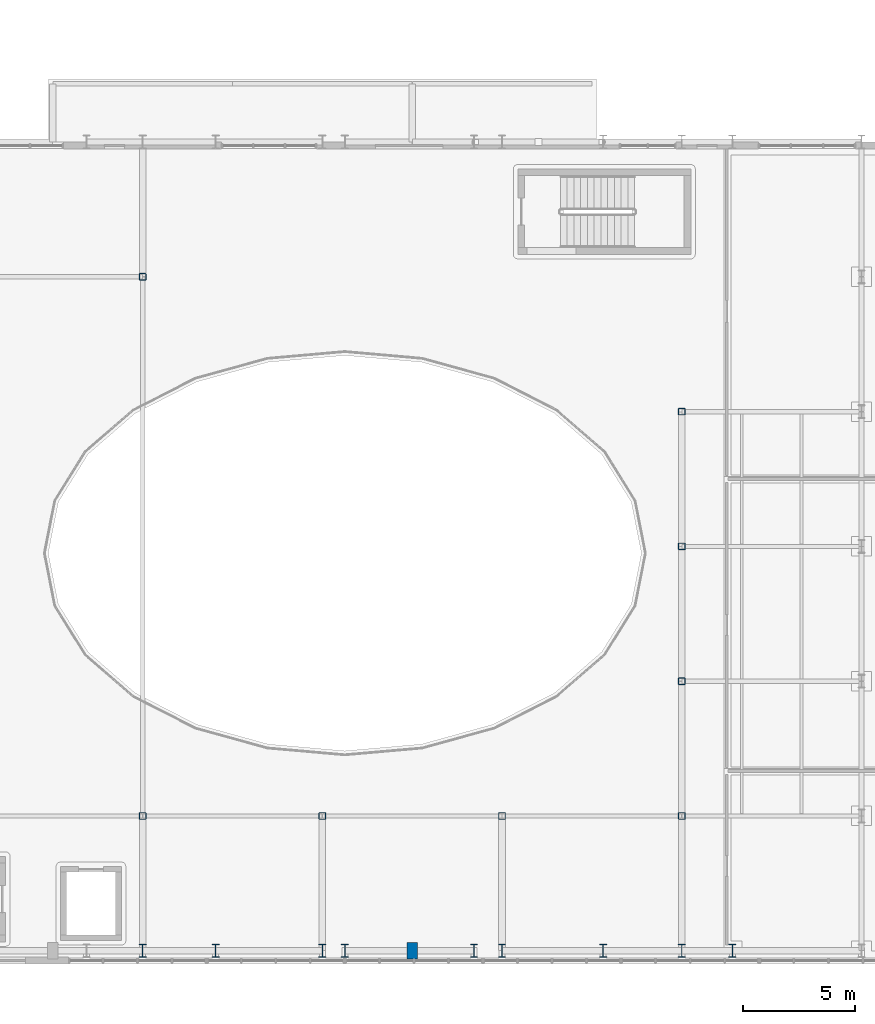
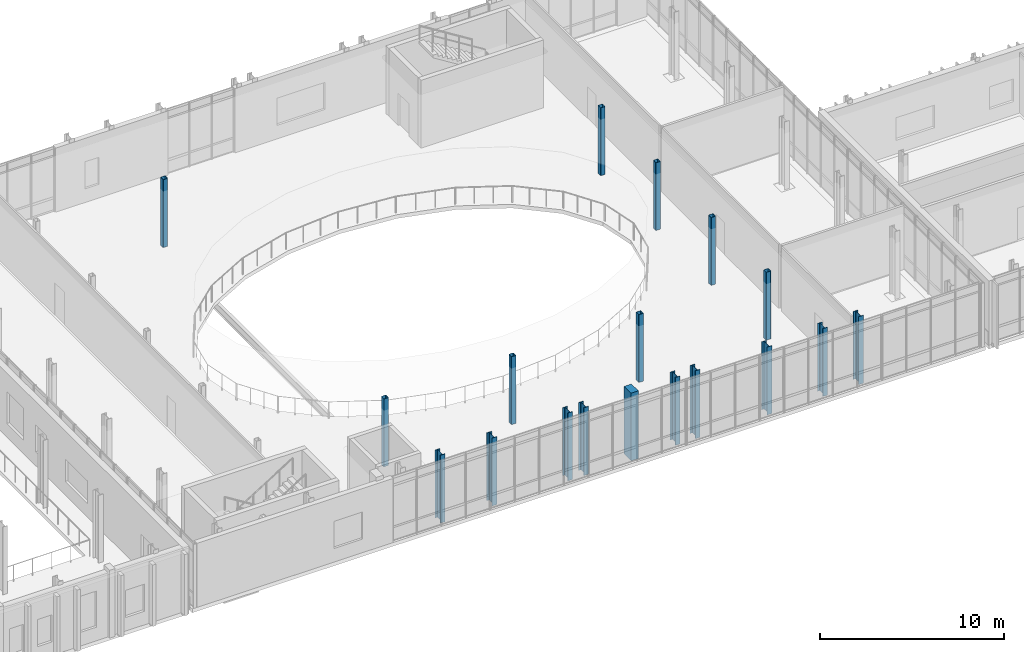
# One storey, part 5 of 100: 18 columns.
"""IFC4 building model written with IfcOpenShell, lengths in metres."""

from ifc_helpers import new_model, si_unit, direction, frame, origin, origin_2d, place, context, subcontext, project, spatial, rectangle, hollow_rectangle, i_section, extrude, material, material_profile, profile_set, type_object, element, save


model = new_model("IFC4")

# Units and contexts
model_context = context("Model", 3, precision=1e-05, world=origin(), true_north=direction((0.0, 1.0)))
body_context = subcontext(model_context, "Body", "Model", "MODEL_VIEW")
ifc_project = project(units=[si_unit("LENGTHUNIT", "METRE"), si_unit("AREAUNIT", "SQUARE_METRE"), si_unit("VOLUMEUNIT", "CUBIC_METRE"), si_unit("PLANEANGLEUNIT", "RADIAN"), si_unit("MASSUNIT", "GRAM", prefix="KILO")], contexts=[model_context])

# Site, building, storey
site_placement = place(None, origin())
site = spatial("IfcSite", under=ifc_project, at=site_placement, CompositionType="ELEMENT")
building_placement = place(site_placement, origin())
building = spatial("IfcBuilding", under=site, at=building_placement, Name="Cymarion Research Institute", CompositionType="ELEMENT")
storey_placement = place(building_placement, frame((0.0, 0.0, 4.800048828125)))
storey = spatial("IfcBuildingStorey", under=building, at=storey_placement, Name="L01", CompositionType="ELEMENT", Elevation=4.800048828125)

# Columns
ifc_material_1 = material(Name="Concrete C40/50", Category="concrete")
ifc_material_profile_1 = material_profile(ifc_material_1, rectangle(XDim=0.449951171875, YDim=0.75, at=origin_2d()), Name="RC 450x750")
ifc_profile_set_1 = profile_set([ifc_material_profile_1], Name="Concrete C40/50")
column_type_1 = type_object("IfcColumnType", Name="CONCRETE PILASTER PL03 RC 450x750", PredefinedType="PILASTER", material=ifc_profile_set_1)
column_placement = place(storey_placement, frame((82.60009765625, 5.5, 0.0), z_axis=(0.0, 0.0, 1.0), x_axis=(1.0, 0.0, 0.0)))
element("IfcColumn", 1, at=column_placement, inside=storey, type_object=column_type_1, Name="L01 V2 column PL03 #585", PredefinedType="PILASTER", context=body_context, shape_type="SweptSolid", body=[
    extrude(rectangle(XDim=0.449951171875, YDim=0.75, at=origin_2d()), origin(), (0.0, 0.0, 1.0), 4.5),
])
ifc_material_2 = material(Name="Steel S355", Category="steel")
ifc_material_profile_2 = material_profile(ifc_material_2, i_section(OverallWidth=0.300048828125, OverallDepth=0.60009765625, WebThickness=0.015380859375, FlangeThickness=0.030029296875, FilletRadius=0.027099609375, at=origin_2d()), Name="HEB 600")
ifc_profile_set_2 = profile_set([ifc_material_profile_2], Name="Steel S355")
column_type_2 = type_object("IfcColumnType", Name="STRUCTURAL COLUMN C02 HEB 600", PredefinedType="COLUMN", material=ifc_profile_set_2)
for number, where, z_axis, x_axis, name in (
    (2, (70.60009765625, 5.5, 0.0), (0.0, 0.0, 1.0), (1.0, 0.0, 0.0), "L01 V2 column C02 #574"),
    (3, (73.85009765625, 5.5, 0.0), (0.0, 0.0, 1.0), (1.0, 0.0, 0.0), "L01 V2 column C02 #578"),
    (4, (78.60009765625, 5.5, 0.0), (0.0, 0.0, 1.0), (1.0, 0.0, 0.0), "L01 V2 column C02 #580"),
    (5, (79.60009765625, 5.5, 0.0), (0.0, 0.0, 1.0), (1.0, 0.0, 0.0), "L01 V2 column C02 #583"),
    (6, (85.35009765625, 5.5, 0.0), (0.0, 0.0, 1.0), (1.0, 0.0, 0.0), "L01 V2 column C02 #586"),
    (7, (86.60009765625, 5.5, 0.0), (0.0, 0.0, 1.0), (1.0, 0.0, 0.0), "L01 V2 column C02 #588"),
    (8, (91.10009765625, 5.5, 0.0), (0.0, 0.0, 1.0), (1.0, 0.0, 0.0), "L01 V2 column C02 #591"),
    (9, (94.60009765625, 5.5, 0.0), (0.0, 0.0, 1.0), (1.0, 0.0, 0.0), "L01 V2 column C02 #593"),
    (10, (96.85009765625, 5.5, 0.0), (0.0, 0.0, 1.0), (1.0, 0.0, 0.0), "L01 V2 column C02 #599"),
):
    element("IfcColumn", number, at=place(storey_placement, frame(where, z_axis=z_axis, x_axis=x_axis)), inside=storey, type_object=column_type_2, Name=name, PredefinedType="COLUMN", context=body_context, shape_type="SweptSolid", body=[
        extrude(i_section(OverallWidth=0.300048828125, OverallDepth=0.60009765625, WebThickness=0.015380859375, FlangeThickness=0.030029296875, FilletRadius=0.027099609375, at=origin_2d()), origin(), (0.0, 0.0, 1.0), 4.5),
    ])
ifc_material_profile_3 = material_profile(ifc_material_2, hollow_rectangle(XDim=0.300048828125, YDim=0.300048828125, WallThickness=0.012451171875, InnerFilletRadius=0.018798828125, OuterFilletRadius=0.03125, at=origin_2d()), Name="SHS 300x300x12.5")
ifc_profile_set_3 = profile_set([ifc_material_profile_3], Name="Steel S355")
column_type_3 = type_object("IfcColumnType", Name="STRUCTURAL COLUMN C14 SHS 300x300x12.5", PredefinedType="COLUMN", material=ifc_profile_set_3)
for number, where, z_axis, x_axis, name in (
    (11, (70.60009765625, 11.5, 0.0), (0.0, 0.0, 1.0), (1.0, 0.0, 0.0), "L01 V2 column C14 #575"),
    (12, (70.60009765625, 35.5, 0.0), (0.0, 0.0, 1.0), (1.0, 0.0, 0.0), "L01 V2 column C14 #576"),
    (13, (78.60009765625, 11.5, 0.0), (0.0, 0.0, 1.0), (1.0, 0.0, 0.0), "L01 V2 column C14 #581"),
    (14, (86.60009765625, 11.5, 0.0), (0.0, 0.0, 1.0), (1.0, 0.0, 0.0), "L01 V2 column C14 #589"),
    (15, (94.60009765625, 11.5, 0.0), (0.0, 0.0, 1.0), (1.0, 0.0, 0.0), "L01 V2 column C14 #594"),
    (16, (94.60009765625, 17.5, 0.0), (0.0, 0.0, 1.0), (1.0, 0.0, 0.0), "L01 V2 column C14 #595"),
    (17, (94.60009765625, 23.5, 0.0), (0.0, 0.0, 1.0), (1.0, 0.0, 0.0), "L01 V2 column C14 #596"),
    (18, (94.60009765625, 29.5, 0.0), (0.0, 0.0, 1.0), (1.0, 0.0, 0.0), "L01 V2 column C14 #597"),
):
    element("IfcColumn", number, at=place(storey_placement, frame(where, z_axis=z_axis, x_axis=x_axis)), inside=storey, type_object=column_type_3, Name=name, PredefinedType="COLUMN", context=body_context, shape_type="SweptSolid", body=[
        extrude(hollow_rectangle(XDim=0.300048828125, YDim=0.300048828125, WallThickness=0.012451171875, InnerFilletRadius=0.018798828125, OuterFilletRadius=0.03125, at=origin_2d()), origin(), (0.0, 0.0, 1.0), 4.5),
    ])

save(model, "model.ifc")
